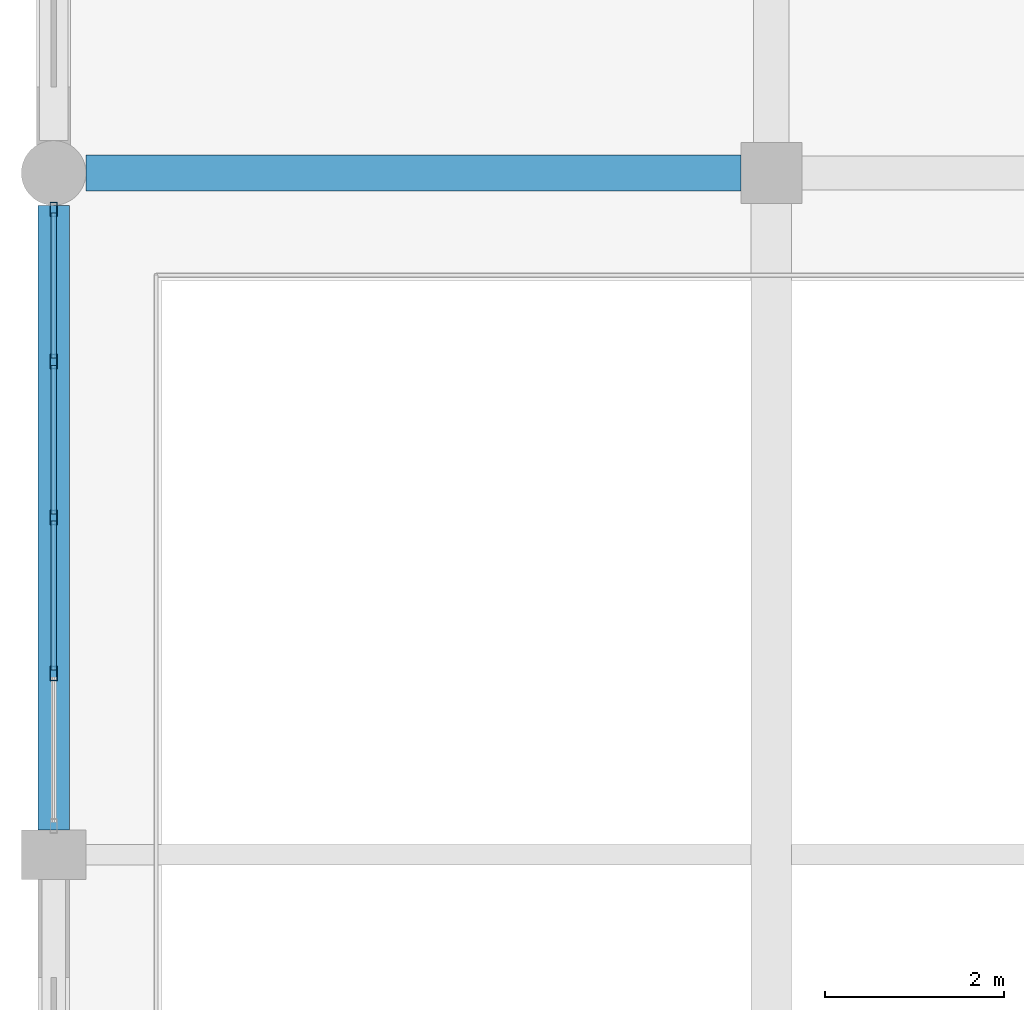
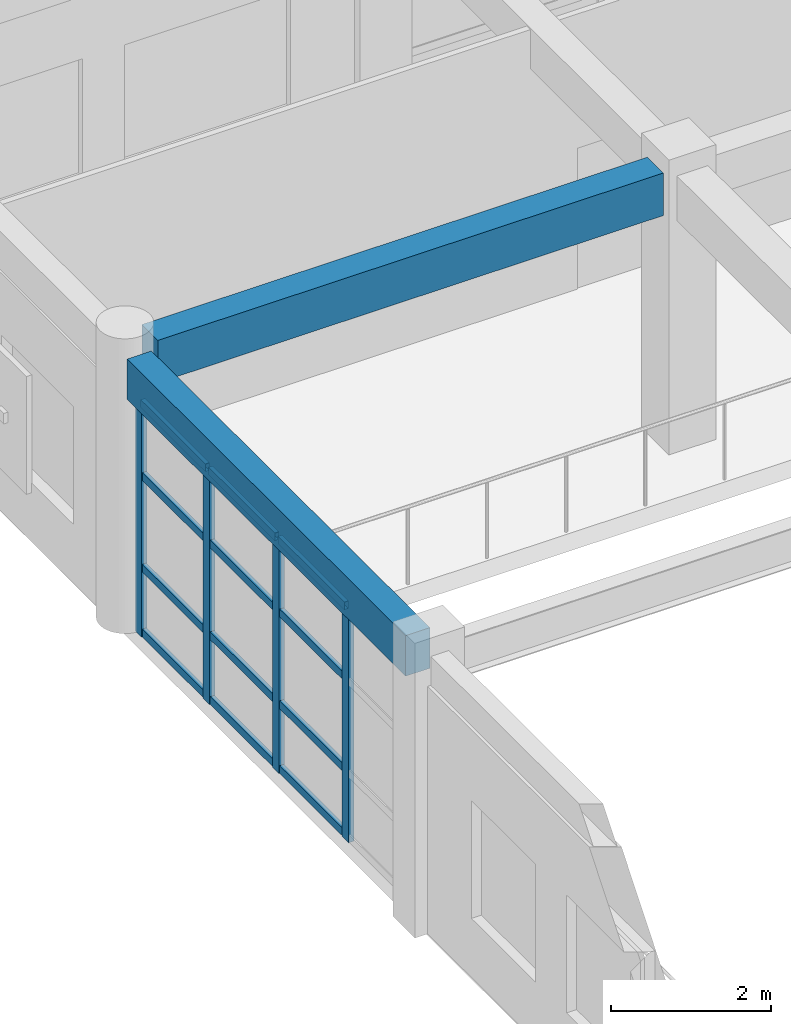
# One storey, part 40 of 160: 16 members, 2 beams, 1 element without a shape of its own.
"""IFC4 building model written with IfcOpenShell, lengths in metres."""

from ifc_helpers import new_model, si_unit, direction, frame, origin, origin_2d, place, context, subcontext, project, spatial, rectangle, hollow_rectangle, extrude, material, material_profile, profile_set, type_object, element, aggregate, save


model = new_model("IFC4")

# Units and contexts
model_context = context("Model", 3, precision=1e-05, world=origin(), true_north=direction((0.0, 1.0)))
body_context = subcontext(model_context, "Body", "Model", "MODEL_VIEW")
ifc_project = project(units=[si_unit("LENGTHUNIT", "METRE"), si_unit("AREAUNIT", "SQUARE_METRE"), si_unit("VOLUMEUNIT", "CUBIC_METRE"), si_unit("PLANEANGLEUNIT", "RADIAN"), si_unit("MASSUNIT", "GRAM", prefix="KILO")], contexts=[model_context])

# Site, building, storey
site_placement = place(None, origin())
site = spatial("IfcSite", under=ifc_project, at=site_placement, CompositionType="ELEMENT")
building_placement = place(site_placement, origin())
building = spatial("IfcBuilding", under=site, at=building_placement, Name="Kharva Crest Polytechnic", CompositionType="ELEMENT")
storey_placement = place(building_placement, frame((0.0, 0.0, 4.5)))
storey = spatial("IfcBuildingStorey", under=building, at=storey_placement, Name="L01", CompositionType="ELEMENT", Elevation=4.5)

# Beam
ifc_material_1 = material(Name="Concrete C35/45", Category="concrete")
ifc_material_profile_1 = material_profile(ifc_material_1, rectangle(XDim=0.39990234375, YDim=0.64990234375, at=origin_2d()), Name="RECT 400 X 650")
ifc_profile_set_1 = profile_set([ifc_material_profile_1], Name="Concrete C35/45")
beam_type_1 = type_object("IfcBeamType", Name="BM-RC-400X650", PredefinedType="BEAM", material=ifc_profile_set_1)
beam_1_placement = place(storey_placement, frame((0.360107421875, 22.800048828125, 3.89501953125), z_axis=(1.0, 0.0, 0.0), x_axis=(0.0, 1.0, 0.0)))
element("IfcBeam", 1, at=beam_1_placement, inside=storey, type_object=beam_type_1, Name="L01 Beam D/1-2", PredefinedType="BEAM", context=body_context, shape_type="SweptSolid", body=[
    extrude(rectangle(XDim=0.39990234375, YDim=0.64990234375, at=origin_2d()), origin(), (0.0, 0.0, 1.0), 7.2998046875),
])

# Curtain wall, members
ifc_material_2 = material(Name="Tempered insulated glass", Category="glass")
curtain_wall_type = type_object("IfcCurtainWallType", Name="CW-SYS-COURT", PredefinedType="USERDEFINED", material=ifc_material_2)
curtain_wall_placement = place(storey_placement, origin())
curtain_wall = element("IfcCurtainWall", 2, at=curtain_wall_placement, inside=storey, type_object=curtain_wall_type, Name="L01 Glazed Curtain Wall CW-040", ObjectType="CURTAIN WALL", PredefinedType="USERDEFINED")
ifc_material_3 = material(Name="Steel S355", Category="steel")
ifc_material_profile_2 = material_profile(ifc_material_3, hollow_rectangle(XDim=0.080078125, YDim=0.159912109375, WallThickness=0.0048828125, at=origin_2d()), Name="RHS 160X80X5.0")
ifc_profile_set_2 = profile_set([ifc_material_profile_2], Name="Steel S355")
member_type_1 = type_object("IfcMemberType", Name="CWM-RHS160X80", PredefinedType="MULLION", material=ifc_profile_set_2)
member_1_placement = place(storey_placement, frame((0.0, 22.39501953125, 0.0), z_axis=(0.0, 0.0, 1.0), x_axis=(1.0, 0.0, 0.0)))
member_1 = element("IfcMember", 3, at=member_1_placement, type_object=member_type_1, Name="CW-040 mullion 1", PredefinedType="MULLION", context=body_context, shape_type="SweptSolid", body=[
    extrude(hollow_rectangle(XDim=0.080078125, YDim=0.159912109375, WallThickness=0.0048828125, at=origin_2d()), origin(), (0.0, 0.0, 1.0), 3.60009765625),
])
member_2_placement = place(storey_placement, frame((0.0, 20.6962890625, 0.0), z_axis=(0.0, 0.0, 1.0), x_axis=(1.0, 0.0, 0.0)))
member_2 = element("IfcMember", 4, at=member_2_placement, type_object=member_type_1, Name="CW-040 mullion 2", PredefinedType="MULLION", context=body_context, shape_type="SweptSolid", body=[
    extrude(hollow_rectangle(XDim=0.080078125, YDim=0.159912109375, WallThickness=0.0048828125, at=origin_2d()), origin(), (0.0, 0.0, 1.0), 3.60009765625),
])
member_3_placement = place(storey_placement, frame((0.0, 18.95751953125, 0.0), z_axis=(0.0, 0.0, 1.0), x_axis=(1.0, 0.0, 0.0)))
member_3 = element("IfcMember", 5, at=member_3_placement, type_object=member_type_1, Name="CW-040 mullion 3", PredefinedType="MULLION", context=body_context, shape_type="SweptSolid", body=[
    extrude(hollow_rectangle(XDim=0.080078125, YDim=0.159912109375, WallThickness=0.0048828125, at=origin_2d()), origin(), (0.0, 0.0, 1.0), 3.60009765625),
])
member_4_placement = place(storey_placement, frame((0.0, 17.21875, 0.0), z_axis=(0.0, 0.0, 1.0), x_axis=(1.0, 0.0, 0.0)))
member_4 = element("IfcMember", 6, at=member_4_placement, type_object=member_type_1, Name="CW-040 mullion 4", PredefinedType="MULLION", context=body_context, shape_type="SweptSolid", body=[
    extrude(hollow_rectangle(XDim=0.080078125, YDim=0.159912109375, WallThickness=0.0048828125, at=origin_2d()), origin(), (0.0, 0.0, 1.0), 3.60009765625),
])
ifc_material_profile_3 = material_profile(ifc_material_3, hollow_rectangle(XDim=0.06005859375, YDim=0.1201171875, WallThickness=0.00390625, at=origin_2d()), Name="RHS 120X60X4.0")
ifc_profile_set_3 = profile_set([ifc_material_profile_3], Name="Steel S355")
member_type_2 = type_object("IfcMemberType", Name="CWT-RHS120X60", PredefinedType="USERDEFINED", material=ifc_profile_set_3)
member_5_placement = place(storey_placement, frame((0.0, 22.35498046875, 0.06005859375), z_axis=(0.0, -1.0, 0.0), x_axis=(1.0, 0.0, 0.0)))
member_5 = element("IfcMember", 7, at=member_5_placement, type_object=member_type_2, Name="CW-040 transom 1.1", ObjectType="TRANSOM", PredefinedType="USERDEFINED", context=body_context, shape_type="SweptSolid", body=[
    extrude(hollow_rectangle(XDim=0.06005859375, YDim=0.1201171875, WallThickness=0.00390625, at=origin_2d()), origin(), (0.0, 0.0, 1.0), 1.61865234375),
])
member_6_placement = place(storey_placement, frame((0.0, 22.35498046875, 1.050048828125), z_axis=(0.0, -1.0, 0.0), x_axis=(1.0, 0.0, 0.0)))
member_6 = element("IfcMember", 8, at=member_6_placement, type_object=member_type_2, Name="CW-040 transom 1.2", ObjectType="TRANSOM", PredefinedType="USERDEFINED", context=body_context, shape_type="SweptSolid", body=[
    extrude(hollow_rectangle(XDim=0.06005859375, YDim=0.1201171875, WallThickness=0.00390625, at=origin_2d()), origin(), (0.0, 0.0, 1.0), 1.61865234375),
])
member_7_placement = place(storey_placement, frame((0.0, 22.35498046875, 2.449951171875), z_axis=(0.0, -1.0, 0.0), x_axis=(1.0, 0.0, 0.0)))
member_7 = element("IfcMember", 9, at=member_7_placement, type_object=member_type_2, Name="CW-040 transom 1.3", ObjectType="TRANSOM", PredefinedType="USERDEFINED", context=body_context, shape_type="SweptSolid", body=[
    extrude(hollow_rectangle(XDim=0.06005859375, YDim=0.1201171875, WallThickness=0.00390625, at=origin_2d()), origin(), (0.0, 0.0, 1.0), 1.61865234375),
])
member_8_placement = place(storey_placement, frame((0.0, 22.35498046875, 3.5400390625), z_axis=(0.0, -1.0, 0.0), x_axis=(1.0, 0.0, 0.0)))
member_8 = element("IfcMember", 10, at=member_8_placement, type_object=member_type_2, Name="CW-040 transom 1.4", ObjectType="TRANSOM", PredefinedType="USERDEFINED", context=body_context, shape_type="SweptSolid", body=[
    extrude(hollow_rectangle(XDim=0.06005859375, YDim=0.1201171875, WallThickness=0.00390625, at=origin_2d()), origin(), (0.0, 0.0, 1.0), 1.61865234375),
])
member_9_placement = place(storey_placement, frame((0.0, 20.65625, 0.06005859375), z_axis=(0.0, -1.0, 0.0), x_axis=(1.0, 0.0, 0.0)))
member_9 = element("IfcMember", 11, at=member_9_placement, type_object=member_type_2, Name="CW-040 transom 2.1", ObjectType="TRANSOM", PredefinedType="USERDEFINED", context=body_context, shape_type="SweptSolid", body=[
    extrude(hollow_rectangle(XDim=0.06005859375, YDim=0.1201171875, WallThickness=0.00390625, at=origin_2d()), origin(), (0.0, 0.0, 1.0), 1.65869140625),
])
member_10_placement = place(storey_placement, frame((0.0, 20.65625, 1.050048828125), z_axis=(0.0, -1.0, 0.0), x_axis=(1.0, 0.0, 0.0)))
member_10 = element("IfcMember", 12, at=member_10_placement, type_object=member_type_2, Name="CW-040 transom 2.2", ObjectType="TRANSOM", PredefinedType="USERDEFINED", context=body_context, shape_type="SweptSolid", body=[
    extrude(hollow_rectangle(XDim=0.06005859375, YDim=0.1201171875, WallThickness=0.00390625, at=origin_2d()), origin(), (0.0, 0.0, 1.0), 1.65869140625),
])
member_11_placement = place(storey_placement, frame((0.0, 20.65625, 2.449951171875), z_axis=(0.0, -1.0, 0.0), x_axis=(1.0, 0.0, 0.0)))
member_11 = element("IfcMember", 13, at=member_11_placement, type_object=member_type_2, Name="CW-040 transom 2.3", ObjectType="TRANSOM", PredefinedType="USERDEFINED", context=body_context, shape_type="SweptSolid", body=[
    extrude(hollow_rectangle(XDim=0.06005859375, YDim=0.1201171875, WallThickness=0.00390625, at=origin_2d()), origin(), (0.0, 0.0, 1.0), 1.65869140625),
])
member_12_placement = place(storey_placement, frame((0.0, 20.65625, 3.5400390625), z_axis=(0.0, -1.0, 0.0), x_axis=(1.0, 0.0, 0.0)))
member_12 = element("IfcMember", 14, at=member_12_placement, type_object=member_type_2, Name="CW-040 transom 2.4", ObjectType="TRANSOM", PredefinedType="USERDEFINED", context=body_context, shape_type="SweptSolid", body=[
    extrude(hollow_rectangle(XDim=0.06005859375, YDim=0.1201171875, WallThickness=0.00390625, at=origin_2d()), origin(), (0.0, 0.0, 1.0), 1.65869140625),
])
member_13_placement = place(storey_placement, frame((0.0, 18.91748046875, 0.06005859375), z_axis=(0.0, -1.0, 0.0), x_axis=(1.0, 0.0, 0.0)))
member_13 = element("IfcMember", 15, at=member_13_placement, type_object=member_type_2, Name="CW-040 transom 3.1", ObjectType="TRANSOM", PredefinedType="USERDEFINED", context=body_context, shape_type="SweptSolid", body=[
    extrude(hollow_rectangle(XDim=0.06005859375, YDim=0.1201171875, WallThickness=0.00390625, at=origin_2d()), origin(), (0.0, 0.0, 1.0), 1.65869140625),
])
member_14_placement = place(storey_placement, frame((0.0, 18.91748046875, 1.050048828125), z_axis=(0.0, -1.0, 0.0), x_axis=(1.0, 0.0, 0.0)))
member_14 = element("IfcMember", 16, at=member_14_placement, type_object=member_type_2, Name="CW-040 transom 3.2", ObjectType="TRANSOM", PredefinedType="USERDEFINED", context=body_context, shape_type="SweptSolid", body=[
    extrude(hollow_rectangle(XDim=0.06005859375, YDim=0.1201171875, WallThickness=0.00390625, at=origin_2d()), origin(), (0.0, 0.0, 1.0), 1.65869140625),
])
member_15_placement = place(storey_placement, frame((0.0, 18.91748046875, 2.449951171875), z_axis=(0.0, -1.0, 0.0), x_axis=(1.0, 0.0, 0.0)))
member_15 = element("IfcMember", 17, at=member_15_placement, type_object=member_type_2, Name="CW-040 transom 3.3", ObjectType="TRANSOM", PredefinedType="USERDEFINED", context=body_context, shape_type="SweptSolid", body=[
    extrude(hollow_rectangle(XDim=0.06005859375, YDim=0.1201171875, WallThickness=0.00390625, at=origin_2d()), origin(), (0.0, 0.0, 1.0), 1.65869140625),
])
member_16_placement = place(storey_placement, frame((0.0, 18.91748046875, 3.5400390625), z_axis=(0.0, -1.0, 0.0), x_axis=(1.0, 0.0, 0.0)))
member_16 = element("IfcMember", 18, at=member_16_placement, type_object=member_type_2, Name="CW-040 transom 3.4", ObjectType="TRANSOM", PredefinedType="USERDEFINED", context=body_context, shape_type="SweptSolid", body=[
    extrude(hollow_rectangle(XDim=0.06005859375, YDim=0.1201171875, WallThickness=0.00390625, at=origin_2d()), origin(), (0.0, 0.0, 1.0), 1.65869140625),
])
aggregate(curtain_wall, [member_1, member_2, member_3, member_4, member_5, member_6, member_7, member_8, member_9, member_10, member_11, member_12, member_13, member_14, member_15, member_16])

# Beam
ifc_material_profile_4 = material_profile(ifc_material_1, rectangle(XDim=0.35009765625, YDim=0.6201171875, at=origin_2d()), Name="RECT 350 X 620")
ifc_profile_set_4 = profile_set([ifc_material_profile_4], Name="Concrete C35/45")
beam_type_2 = type_object("IfcBeamType", Name="SP-RC-350X620", PredefinedType="SPANDREL", material=ifc_profile_set_4)
beam_2_placement = place(storey_placement, frame((0.0, 15.47509765625, 3.909912109375), z_axis=(0.0, 1.0, 0.0), x_axis=(-1.0, 0.0, 0.0)))
element("IfcBeam", 19, at=beam_2_placement, inside=storey, type_object=beam_type_2, Name="L01 Girder 1/C-D", PredefinedType="SPANDREL", context=body_context, shape_type="SweptSolid", body=[
    extrude(rectangle(XDim=0.35009765625, YDim=0.6201171875, at=origin_2d()), origin(), (0.0, 0.0, 1.0), 6.96484375),
])

save(model, "model.ifc")
